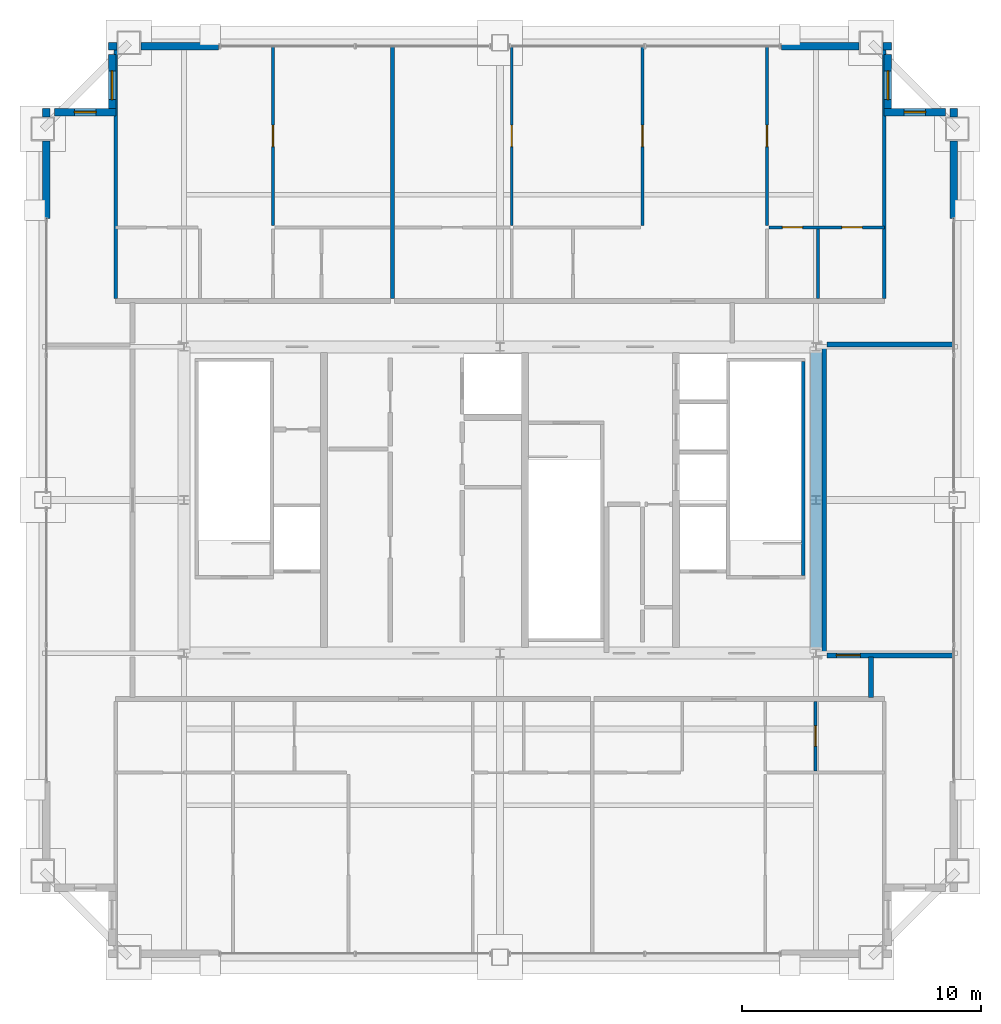
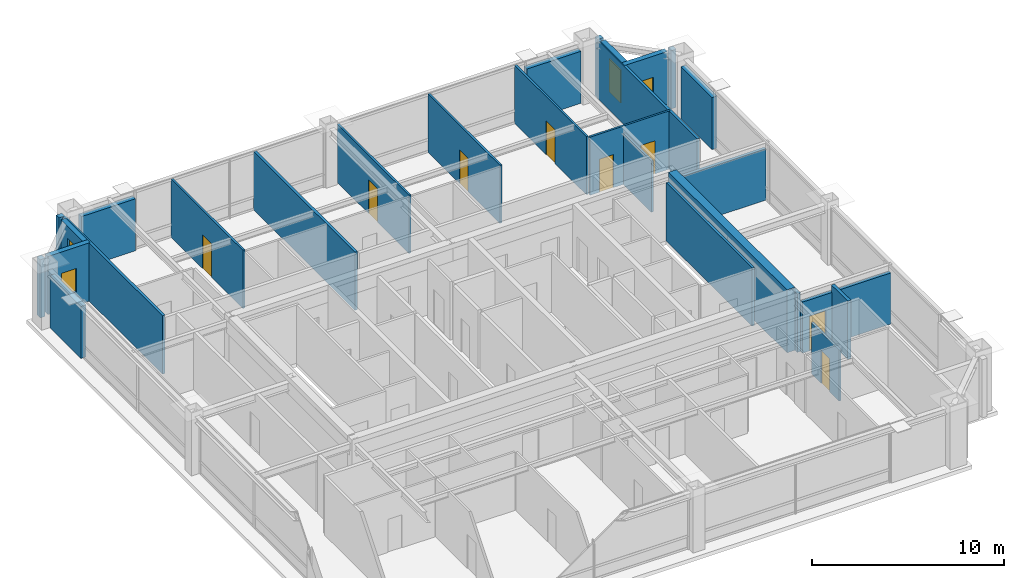
# One storey, part 33 of 34: 28 walls, 8 doors, 4 windows, 12 openings.
"""IFC4 building model written with IfcOpenShell, lengths in metres."""

import ifcopenshell
import ifcopenshell.guid

model = None  # the IFC model being written
_history = None  # IfcOwnerHistory: only IFC2X3 demands one
_inside = {}  # id of a spatial element -> (the spatial element, [elements in it])
_under = {}  # id of a project, library or spatial element -> (it, [spatial elements below it])
_declared = {}  # id of a project -> (the project, [libraries it declares])
_typed = {}  # id of a type object -> (the type object, [elements of that type])
_made_of = {}  # id of a material, layer set ... -> (it, [elements and type objects made of it])


def new_model(schema):
    """Start an empty IFC model of exactly this schema.

    Asked for "IFC4X3", IfcOpenShell would pick the latest addendum, in which some entities
    have other attributes; the version numbers below select the first issue.
    IFC2X3 requires an IfcOwnerHistory on every rooted entity: one is made here for all.
    """
    global model, _history
    if schema == "IFC4X3":
        model = ifcopenshell.file(schema_version=(4, 3, 0, 0))
    else:
        model = ifcopenshell.file(schema=schema)
    _inside.clear()
    _under.clear()
    _declared.clear()
    _typed.clear()
    _made_of.clear()
    _history = None
    if model.schema == "IFC2X3":
        org = make("IfcOrganization", Name="unknown")
        user = make(
            "IfcPersonAndOrganization",
            ThePerson=make("IfcPerson", FamilyName="unknown"),
            TheOrganization=org,
        )
        app = make(
            "IfcApplication",
            ApplicationDeveloper=org,
            Version="unknown",
            ApplicationFullName="unknown",
            ApplicationIdentifier="unknown",
        )
        _history = make(
            "IfcOwnerHistory",
            OwningUser=user,
            OwningApplication=app,
            ChangeAction="ADDED",
            CreationDate=0,
        )
    return model


def make(cls, **values):
    """One entity of the class cls with the attributes given. An attribute that is None is left unset."""
    return model.create_entity(
        cls, **{name: value for name, value in values.items() if value is not None}
    )


def rooted(cls, **values):
    """An entity with a GlobalId (a new one), such as an element, a storey or a relation."""
    return make(cls, GlobalId=ifcopenshell.guid.new(), OwnerHistory=_history, **values)


def si_unit(unit_type, name, prefix=None):
    """IfcSIUnit, for example si_unit("LENGTHUNIT", "METRE", prefix="MILLI")."""
    return make("IfcSIUnit", UnitType=unit_type, Prefix=prefix, Name=name)


def assignment(units):
    """IfcUnitAssignment: the units of a project."""
    return None if units is None else make("IfcUnitAssignment", Units=units)


def point(xyz):
    """IfcCartesianPoint."""
    return None if xyz is None else make("IfcCartesianPoint", Coordinates=xyz)


def direction(xyz):
    """IfcDirection."""
    return None if xyz is None else make("IfcDirection", DirectionRatios=xyz)


def frame(location, z_axis=None, x_axis=None):
    """IfcAxis2Placement3D, a coordinate frame: its origin and axes. An axis left out is left unset."""
    return make(
        "IfcAxis2Placement3D",
        Location=point(location),
        Axis=direction(z_axis),
        RefDirection=direction(x_axis),
    )


def frame_2d(location, x_axis=None):
    """IfcAxis2Placement2D, a coordinate frame in the plane: its origin and x axis."""
    return make(
        "IfcAxis2Placement2D", Location=point(location), RefDirection=direction(x_axis)
    )


def origin():
    """The frame at (0, 0, 0) with its axes left unset."""
    return frame((0.0, 0.0, 0.0))


def place(relative_to, where):
    """IfcLocalPlacement: puts the frame where relative to a parent placement (None: the world)."""
    return make(
        "IfcLocalPlacement", PlacementRelTo=relative_to, RelativePlacement=where
    )


def context(
    kind, dimensions, precision=None, world=None, true_north=None, identifier=None
):
    """IfcGeometricRepresentationContext, for example the 3D "Model" context."""
    return make(
        "IfcGeometricRepresentationContext",
        ContextIdentifier=identifier,
        ContextType=kind,
        CoordinateSpaceDimension=dimensions,
        Precision=precision,
        WorldCoordinateSystem=world,
        TrueNorth=true_north,
    )


def subcontext(parent, identifier, kind, view, scale=None):
    """IfcGeometricRepresentationSubContext, for example "Body" below "Model"."""
    return make(
        "IfcGeometricRepresentationSubContext",
        ContextIdentifier=identifier,
        ContextType=kind,
        ParentContext=parent,
        TargetScale=scale,
        TargetView=view,
    )


def project(units=None, contexts=None):
    """IfcProject with its units and contexts."""
    return rooted(
        "IfcProject",
        Name="project",
        RepresentationContexts=contexts,
        UnitsInContext=assignment(units),
    )


def spatial(cls, under=None, at=None, **own):
    """A site, building, storey or space (cls), placed at a placement, below another one or the project."""
    s = rooted(cls, ObjectPlacement=at, **own)
    if under is not None:
        _under.setdefault(under.id(), (under, []))[1].append(s)
    return s


def profile(cls, at=None, kind="AREA", **sizes):
    """A parametric profile (cls). Its sizes go by their IFC names, for example OverallWidth=200.0."""
    return make(cls, ProfileType=kind, Position=at, **sizes)


def rectangle(**sizes):
    """IfcRectangleProfileDef."""
    return profile("IfcRectangleProfileDef", **sizes)


def extrude(swept, where, along, depth):
    """IfcExtrudedAreaSolid: the profile swept, set in the frame where, extruded along a direction by depth."""
    return make(
        "IfcExtrudedAreaSolid",
        SweptArea=swept,
        Position=where,
        ExtrudedDirection=direction(along),
        Depth=depth,
    )


def shape(context_of_items, identifier, shape_type, items):
    """IfcShapeRepresentation: the items that make up one representation, for example the "Body"."""
    return make(
        "IfcShapeRepresentation",
        ContextOfItems=context_of_items,
        RepresentationIdentifier=identifier,
        RepresentationType=shape_type,
        Items=items,
    )


def source(mapping_origin, context_of_items, identifier, shape_type, items):
    """IfcRepresentationMap: a shape defined once, which mapped items show again and again."""
    return make(
        "IfcRepresentationMap",
        MappingOrigin=mapping_origin,
        MappedRepresentation=shape(context_of_items, identifier, shape_type, items),
    )


def transform(
    local_origin,
    x_axis=None,
    y_axis=None,
    z_axis=None,
    scale=None,
    scale2=None,
    scale3=None,
    uniform=True,
):
    """IfcCartesianTransformationOperator3D, or its non-uniform kind. x_axis, y_axis, z_axis: its Axis1, 2, 3."""
    if uniform:
        return make(
            "IfcCartesianTransformationOperator3D",
            Axis1=direction(x_axis),
            Axis2=direction(y_axis),
            LocalOrigin=point(local_origin),
            Scale=scale,
            Axis3=direction(z_axis),
        )
    return make(
        "IfcCartesianTransformationOperator3DnonUniform",
        Axis1=direction(x_axis),
        Axis2=direction(y_axis),
        LocalOrigin=point(local_origin),
        Scale=scale,
        Axis3=direction(z_axis),
        Scale2=scale2,
        Scale3=scale3,
    )


def mapped(mapping_source, mapping_target):
    """IfcMappedItem: shows the shape of a source again, moved by a transform."""
    return make(
        "IfcMappedItem", MappingSource=mapping_source, MappingTarget=mapping_target
    )


def material(Name=None, Category=None):
    """IfcMaterial."""
    return make("IfcMaterial", Name=Name, Category=Category)


def layer(
    of_material, thickness, ventilated=None, Name=None, Category=None, Priority=None
):
    """IfcMaterialLayer: one layer of a wall or slab, of a material (None: an air gap)."""
    return make(
        "IfcMaterialLayer",
        Material=of_material,
        LayerThickness=thickness,
        IsVentilated=ventilated,
        Name=Name,
        Category=Category,
        Priority=Priority,
    )


def layer_set(layers, Name=None):
    """IfcMaterialLayerSet."""
    return make("IfcMaterialLayerSet", MaterialLayers=layers, LayerSetName=Name)


def made_of(thing, what):
    """Note that an element or type object is made of a material, layer set ...; save() writes the relation."""
    if what is not None:
        _made_of.setdefault(what.id(), (what, []))[1].append(thing)
    return thing


def type_object(cls, material=None, **own):
    """A type object (cls), such as IfcWallType, which elements share."""
    return made_of(rooted(cls, **own), material)


def element(
    cls,
    number,
    at=None,
    inside=None,
    cuts=None,
    type_object=None,
    material=None,
    context=None,
    identifier="Body",
    shape_type=None,
    held_by="IfcProductDefinitionShape",
    body=None,
    shapes=None,
    **own,
):
    """One element of the class cls, such as IfcWall. Its Tag is "e" and its number.

    at: its placement. inside: the storey or other place that contains it. cuts: it is an
    opening in that element (IfcRelVoidsElement). A single representation is given by context,
    identifier, shape_type and body (its items); several are given by shapes. held_by: the class
    of the entity that holds the representations. save() writes the other relations.
    """
    e = rooted(cls, Tag="e%d" % number, ObjectPlacement=at, **own)
    if body is not None:
        shapes = [shape(context, identifier, shape_type, body)]
    if shapes is not None:
        e.Representation = make(held_by, Representations=shapes)
    if inside is not None:
        _inside.setdefault(inside.id(), (inside, []))[1].append(e)
    if cuts is not None:
        rooted(
            "IfcRelVoidsElement", RelatingBuildingElement=cuts, RelatedOpeningElement=e
        )
    if type_object is not None:
        _typed.setdefault(type_object.id(), (type_object, []))[1].append(e)
    return made_of(e, material)


def fill(opening, filler):
    """IfcRelFillsElement: the door or window that sits in an opening."""
    return rooted(
        "IfcRelFillsElement",
        RelatingOpeningElement=opening,
        RelatedBuildingElement=filler,
    )


def aggregate(whole, parts):
    """IfcRelAggregates: a whole, such as a stair, and the parts it consists of."""
    return rooted("IfcRelAggregates", RelatingObject=whole, RelatedObjects=parts)


def save(model, path):
    """Write the relations noted so far, then the file.

    IfcRelAggregates (storeys below a building ...), IfcRelContainedInSpatialStructure (elements
    in a storey), IfcRelDefinesByType, IfcRelAssociatesMaterial and IfcRelDeclares: one each for
    every whole, place, type object, material and project.
    """
    for whole, parts in _under.values():
        aggregate(whole, parts)
    for where, things in _inside.values():
        rooted(
            "IfcRelContainedInSpatialStructure",
            RelatedElements=things,
            RelatingStructure=where,
        )
    for kind, things in _typed.values():
        rooted("IfcRelDefinesByType", RelatedObjects=things, RelatingType=kind)
    for what, things in _made_of.values():
        rooted("IfcRelAssociatesMaterial", RelatedObjects=things, RelatingMaterial=what)
    for by, libraries in _declared.values():
        rooted("IfcRelDeclares", RelatingContext=by, RelatedDefinitions=libraries)
    model.write(path)


model = new_model("IFC4")

# Units and contexts
model_context = context("Model", 3, precision=1e-05, world=origin(), true_north=direction((0.0, 1.0)))
body_context = subcontext(model_context, "Body", "Model", "MODEL_VIEW")
ifc_project = project(units=[si_unit("LENGTHUNIT", "METRE"), si_unit("AREAUNIT", "SQUARE_METRE"), si_unit("VOLUMEUNIT", "CUBIC_METRE"), si_unit("PLANEANGLEUNIT", "RADIAN"), si_unit("MASSUNIT", "GRAM", prefix="KILO"), si_unit("THERMODYNAMICTEMPERATUREUNIT", "KELVIN"), si_unit("POWERUNIT", "WATT")], contexts=[model_context])

# Site, building, storey
site_placement = place(None, origin())
site = spatial("IfcSite", under=ifc_project, at=site_placement, CompositionType="ELEMENT")
building_placement = place(site_placement, origin())
building = spatial("IfcBuilding", under=site, at=building_placement, Name="Yuzanri Waterfront Tower", CompositionType="ELEMENT")
storey_placement = place(building_placement, frame((0.0, 0.0, 347.199951171875)))
storey = spatial("IfcBuildingStorey", under=building, at=storey_placement, Name="L93", CompositionType="ELEMENT", Elevation=347.199951171875)

# Wall, opening, door
ifc_material_1 = material(Name="Moisture-Resistant Gypsum Stud Wall", Category="gypsum")
ifc_layer_1 = layer(ifc_material_1, 0.1201171875)
ifc_layer_set_1 = layer_set([ifc_layer_1], Name="Moisture-Resistant Gypsum Stud Wall")
wall_type_1 = type_object("IfcWallType", Name="Bathroom and Kitchen Wet Partition 120", PredefinedType="PARTITIONING", material=ifc_layer_set_1)
wall_1_placement = place(storey_placement, frame((50.179931640625, 14.489990234375, 0.0), z_axis=(0.0, 0.0, 1.0), x_axis=(0.0, 1.0, 0.0)))
wall_1 = element("IfcWall", 1, at=wall_1_placement, inside=storey, type_object=wall_type_1, Name="L93 Partition UW-L93-HS2-SUB-2-W", PredefinedType="PARTITIONING", context=body_context, shape_type="SweptSolid", body=[
    extrude(rectangle(XDim=2.89990234375, YDim=0.1201171875, at=frame_2d((1.449951171875, 0.0))), origin(), (0.0, 0.0, 1.0), 3.2451171875),
])
opening_1_placement = place(wall_1_placement, frame((1.02490234375, 0.0, 0.0)))
opening_1 = element("IfcOpeningElement", 2, at=opening_1_placement, cuts=wall_1, Name="Opening ID-0850", PredefinedType="OPENING", context=body_context, shape_type="SweptSolid", body=[
    extrude(rectangle(XDim=0.85009765625, YDim=2.10009765625, at=frame_2d((0.425048828125, 1.050048828125))), frame((0.0, 0.074951171875, 0.0), z_axis=(0.0, -1.0, 0.0), x_axis=(1.0, 0.0, 0.0)), (0.0, 0.0, 1.0), 0.14990234375),
])
ifc_material_2 = material(Name="Moisture-Resistant Lacquered Timber", Category="wood")
door_type_1 = type_object("IfcDoorType", Name="En-Suite Bathroom and Kitchen Swing Door 850x2100", OperationType="NOTDEFINED", PredefinedType="DOOR", material=ifc_material_2)
shared_shape_1 = source(origin(), body_context, "Body", "SweptSolid", [
    extrude(rectangle(XDim=0.85009765625, YDim=2.10009765625, at=frame_2d((0.425048828125, 1.050048828125))), frame((0.0, 0.02490234375, 0.0), z_axis=(0.0, -1.0, 0.0), x_axis=(1.0, 0.0, 0.0)), (0.0, 0.0, 1.0), 0.050048828125),
])
door_1_placement = place(opening_1_placement, origin())
door_1 = element("IfcDoor", 3, at=door_1_placement, inside=storey, type_object=door_type_1, Name="L93 Suite Interior Room Door", OperationType="SINGLE_SWING_RIGHT", OverallHeight=2.10009765625, OverallWidth=0.85009765625, PredefinedType="DOOR", context=body_context, shape_type="MappedRepresentation", body=[
    mapped(shared_shape_1, transform((0.0, 0.0, 0.0), scale=1.0)),
])
fill(opening_1, door_1)

wall_2_placement = place(storey_placement, frame((27.52001953125, 37.27001953125, 0.0), z_axis=(0.0, 0.0, 1.0), x_axis=(0.0, 1.0, 0.0)))
wall_2 = element("IfcWall", 4, at=wall_2_placement, inside=storey, type_object=wall_type_1, Name="L93 Partition UW-L93-HN1-SUB-3-W", PredefinedType="PARTITIONING", context=body_context, shape_type="SweptSolid", body=[
    extrude(rectangle(XDim=7.47998046875, YDim=0.1201171875, at=frame_2d((3.739990234375, 0.0))), origin(), (0.0, 0.0, 1.0), 3.699951171875),
])
opening_2_placement = place(wall_2_placement, frame((3.2900390625, 0.0, 0.0)))
opening_2 = element("IfcOpeningElement", 5, at=opening_2_placement, cuts=wall_2, Name="Opening ID-0900", PredefinedType="OPENING", context=body_context, shape_type="SweptSolid", body=[
    extrude(rectangle(XDim=0.89990234375, YDim=2.14990234375, at=frame_2d((0.449951171875, 1.074951171875))), frame((0.0, 0.074951171875, 0.0), z_axis=(0.0, -1.0, 0.0), x_axis=(1.0, 0.0, 0.0)), (0.0, 0.0, 1.0), 0.14990234375),
])
ifc_material_3 = material(Name="Stained Walnut Veneer Timber", Category="wood")
door_type_2 = type_object("IfcDoorType", Name="Bedroom and Study Interior Swing Door 900x2150", OperationType="NOTDEFINED", PredefinedType="DOOR", material=ifc_material_3)
shared_shape_2 = source(origin(), body_context, "Body", "SweptSolid", [
    extrude(rectangle(XDim=0.89990234375, YDim=2.14990234375, at=frame_2d((0.449951171875, 1.074951171875))), frame((0.0, 0.02490234375, 0.0), z_axis=(0.0, -1.0, 0.0), x_axis=(1.0, 0.0, 0.0)), (0.0, 0.0, 1.0), 0.050048828125),
])
door_2_placement = place(opening_2_placement, origin())
door_2 = element("IfcDoor", 6, at=door_2_placement, inside=storey, type_object=door_type_2, Name="L93 Suite Interior Room Door", OperationType="SINGLE_SWING_RIGHT", OverallHeight=2.14990234375, OverallWidth=0.89990234375, PredefinedType="DOOR", context=body_context, shape_type="MappedRepresentation", body=[
    mapped(shared_shape_2, transform((0.0, 0.0, 0.0), scale=1.0)),
])
fill(opening_2, door_2)

wall_3_placement = place(storey_placement, frame((37.492919921875, 37.27001953125, 0.0), z_axis=(0.0, 0.0, 1.0), x_axis=(0.0, 1.0, 0.0)))
wall_3 = element("IfcWall", 7, at=wall_3_placement, inside=storey, type_object=wall_type_1, Name="L93 Partition UW-L93-HN2-SUB-5-E", PredefinedType="PARTITIONING", context=body_context, shape_type="SweptSolid", body=[
    extrude(rectangle(XDim=7.47998046875, YDim=0.1201171875, at=frame_2d((3.739990234375, 0.0))), origin(), (0.0, 0.0, 1.0), 3.699951171875),
])
opening_3_placement = place(wall_3_placement, frame((3.2900390625, 0.0, 0.0)))
opening_3 = element("IfcOpeningElement", 8, at=opening_3_placement, cuts=wall_3, Name="Opening ID-0900", PredefinedType="OPENING", context=body_context, shape_type="SweptSolid", body=[
    extrude(rectangle(XDim=0.89990234375, YDim=2.14990234375, at=frame_2d((0.449951171875, 1.074951171875))), frame((0.0, 0.074951171875, 0.0), z_axis=(0.0, -1.0, 0.0), x_axis=(1.0, 0.0, 0.0)), (0.0, 0.0, 1.0), 0.14990234375),
])
door_3_placement = place(opening_3_placement, origin())
door_3 = element("IfcDoor", 9, at=door_3_placement, inside=storey, type_object=door_type_2, Name="L93 Suite Interior Room Door", OperationType="SINGLE_SWING_LEFT", OverallHeight=2.14990234375, OverallWidth=0.89990234375, PredefinedType="DOOR", context=body_context, shape_type="MappedRepresentation", body=[
    mapped(shared_shape_2, transform((0.0, 0.0, 0.0), scale=1.0)),
])
fill(opening_3, door_3)

# Wall, openings, doors
wall_4_placement = place(storey_placement, frame((48.22998046875, 37.18994140625, 0.0), z_axis=(0.0, 0.0, 1.0), x_axis=(1.0, 0.0, 0.0)))
wall_4 = element("IfcWall", 10, at=wall_4_placement, inside=storey, type_object=wall_type_1, Name="L93 Partition UW-L93-HN2-SUB-6-S", PredefinedType="PARTITIONING", context=body_context, shape_type="SweptSolid", body=[
    extrude(rectangle(XDim=4.830078125, YDim=0.1201171875, at=frame_2d((2.4150390625, 0.0))), origin(), (0.0, 0.0, 1.0), 3.699951171875),
])
opening_4_placement = place(wall_4_placement, frame((3.054931640625, 0.0, 0.0)))
opening_4 = element("IfcOpeningElement", 11, at=opening_4_placement, cuts=wall_4, Name="Opening ID-0850", PredefinedType="OPENING", context=body_context, shape_type="SweptSolid", body=[
    extrude(rectangle(XDim=0.85009765625, YDim=2.10009765625, at=frame_2d((0.425048828125, 1.050048828125))), frame((0.0, 0.074951171875, 0.0), z_axis=(0.0, -1.0, 0.0), x_axis=(1.0, 0.0, 0.0)), (0.0, 0.0, 1.0), 0.14990234375),
])
opening_5_placement = place(wall_4_placement, frame((0.56005859375, 0.0, 0.0)))
opening_5 = element("IfcOpeningElement", 12, at=opening_5_placement, cuts=wall_4, Name="Opening ID-0850", PredefinedType="OPENING", context=body_context, shape_type="SweptSolid", body=[
    extrude(rectangle(XDim=0.85009765625, YDim=2.10009765625, at=frame_2d((0.425048828125, 1.050048828125))), frame((0.0, 0.074951171875, 0.0), z_axis=(0.0, -1.0, 0.0), x_axis=(1.0, 0.0, 0.0)), (0.0, 0.0, 1.0), 0.14990234375),
])
door_4_placement = place(opening_4_placement, origin())
door_4 = element("IfcDoor", 13, at=door_4_placement, inside=storey, type_object=door_type_1, Name="L93 Suite Interior Room Door", OperationType="SINGLE_SWING_LEFT", OverallHeight=2.10009765625, OverallWidth=0.85009765625, PredefinedType="DOOR", context=body_context, shape_type="MappedRepresentation", body=[
    mapped(shared_shape_1, transform((0.0, 0.0, 0.0), scale=1.0)),
])
fill(opening_4, door_4)
door_5_placement = place(opening_5_placement, origin())
door_5 = element("IfcDoor", 14, at=door_5_placement, inside=storey, type_object=door_type_1, Name="L93 Suite Interior Room Door", OperationType="SINGLE_SWING_RIGHT", OverallHeight=2.10009765625, OverallWidth=0.85009765625, PredefinedType="DOOR", context=body_context, shape_type="MappedRepresentation", body=[
    mapped(shared_shape_1, transform((0.0, 0.0, 0.0), scale=1.0)),
])
fill(opening_5, door_5)

# Wall, opening, door
wall_5_placement = place(storey_placement, frame((48.14990234375, 37.27001953125, 0.0), z_axis=(0.0, 0.0, 1.0), x_axis=(0.0, 1.0, 0.0)))
wall_5 = element("IfcWall", 15, at=wall_5_placement, inside=storey, type_object=wall_type_1, Name="L93 Partition UW-L93-HN2-SUB-6-W", PredefinedType="PARTITIONING", context=body_context, shape_type="SweptSolid", body=[
    extrude(rectangle(XDim=7.47998046875, YDim=0.1201171875, at=frame_2d((3.739990234375, 0.0))), origin(), (0.0, 0.0, 1.0), 3.699951171875),
])
opening_6_placement = place(wall_5_placement, frame((3.2900390625, 0.0, 0.0)))
opening_6 = element("IfcOpeningElement", 16, at=opening_6_placement, cuts=wall_5, Name="Opening ID-0900", PredefinedType="OPENING", context=body_context, shape_type="SweptSolid", body=[
    extrude(rectangle(XDim=0.89990234375, YDim=2.14990234375, at=frame_2d((0.449951171875, 1.074951171875))), frame((0.0, 0.074951171875, 0.0), z_axis=(0.0, -1.0, 0.0), x_axis=(1.0, 0.0, 0.0)), (0.0, 0.0, 1.0), 0.14990234375),
])
door_6_placement = place(opening_6_placement, origin())
door_6 = element("IfcDoor", 17, at=door_6_placement, inside=storey, type_object=door_type_2, Name="L93 Suite Interior Room Door", OperationType="SINGLE_SWING_RIGHT", OverallHeight=2.14990234375, OverallWidth=0.89990234375, PredefinedType="DOOR", context=body_context, shape_type="MappedRepresentation", body=[
    mapped(shared_shape_2, transform((0.0, 0.0, 0.0), scale=1.0)),
])
fill(opening_6, door_6)

wall_6_placement = place(storey_placement, frame((42.949951171875, 37.27001953125, 0.0), z_axis=(0.0, 0.0, 1.0), x_axis=(0.0, 1.0, 0.0)))
wall_6 = element("IfcWall", 18, at=wall_6_placement, inside=storey, type_object=wall_type_1, Name="L93 Partition UW-L93-HN2-SUB-7-E", PredefinedType="PARTITIONING", context=body_context, shape_type="SweptSolid", body=[
    extrude(rectangle(XDim=7.47998046875, YDim=0.1201171875, at=frame_2d((3.739990234375, 0.0))), origin(), (0.0, 0.0, 1.0), 3.699951171875),
])
opening_7_placement = place(wall_6_placement, frame((3.2900390625, 0.0, 0.0)))
opening_7 = element("IfcOpeningElement", 19, at=opening_7_placement, cuts=wall_6, Name="Opening ID-0900", PredefinedType="OPENING", context=body_context, shape_type="SweptSolid", body=[
    extrude(rectangle(XDim=0.89990234375, YDim=2.14990234375, at=frame_2d((0.449951171875, 1.074951171875))), frame((0.0, 0.074951171875, 0.0), z_axis=(0.0, -1.0, 0.0), x_axis=(1.0, 0.0, 0.0)), (0.0, 0.0, 1.0), 0.14990234375),
])
door_7_placement = place(opening_7_placement, origin())
door_7 = element("IfcDoor", 20, at=door_7_placement, inside=storey, type_object=door_type_2, Name="L93 Suite Interior Room Door", OperationType="SINGLE_SWING_LEFT", OverallHeight=2.14990234375, OverallWidth=0.89990234375, PredefinedType="DOOR", context=body_context, shape_type="MappedRepresentation", body=[
    mapped(shared_shape_2, transform((0.0, 0.0, 0.0), scale=1.0)),
])
fill(opening_7, door_7)

# Wall, opening, window
ifc_material_4 = material(Name="Honed Chongqing Dark Basalt Stone", Category="masonry")
ifc_layer_2 = layer(ifc_material_4, 0.300048828125)
ifc_layer_set_2 = layer_set([ifc_layer_2], Name="Honed Chongqing Dark Basalt Stone")
wall_type_2 = type_object("IfcWallType", Name="Bronze Rainscreen Insulated Spandrel Portal Wall 300", PredefinedType="SOLIDWALL", material=ifc_layer_set_2)
wall_7_placement = place(storey_placement, frame((20.949951171875, 42.0, 0.0), z_axis=(0.0, 0.0, 1.0), x_axis=(-1.0, 0.0, 0.0)))
wall_7 = element("IfcWall", 21, at=wall_7_placement, inside=storey, type_object=wall_type_2, Name="L93 Notched Corner Masonry Wall NW-X", PredefinedType="SOLIDWALL", context=body_context, shape_type="SweptSolid", body=[
    extrude(rectangle(XDim=2.550048828125, YDim=0.300048828125, at=frame_2d((1.27490234375, 0.0))), origin(), (0.0, 0.0, 1.0), 3.699951171875),
])
opening_8_placement = place(wall_7_placement, frame((0.824951171875, 0.0, 0.85009765625)))
opening_8 = element("IfcOpeningElement", 22, at=opening_8_placement, cuts=wall_7, Name="Opening WN-05", PredefinedType="OPENING", context=body_context, shape_type="SweptSolid", body=[
    extrude(rectangle(XDim=0.89990234375, YDim=1.5, at=frame_2d((0.449951171875, 0.75))), frame((0.0, 0.1650390625, 0.0), z_axis=(0.0, -1.0, 0.0), x_axis=(1.0, 0.0, 0.0)), (0.0, 0.0, 1.0), 0.329833984375),
])
ifc_material_5 = material(Name="Double-Silver Low-E Insulated Glass", Category="glass")
window_type_1 = type_object("IfcWindowType", Name="Anodized Bronze Service and Stairwell Smoke-Vent Window 900x1500", PartitioningType="SINGLE_PANEL", PredefinedType="WINDOW", material=ifc_material_5)
shared_shape_3 = source(origin(), body_context, "Body", "SweptSolid", [
    extrude(rectangle(XDim=0.89990234375, YDim=1.5, at=frame_2d((0.449951171875, 0.75))), frame((0.0, 0.030029296875, 0.0), z_axis=(0.0, -1.0, 0.0), x_axis=(1.0, 0.0, 0.0)), (0.0, 0.0, 1.0), 0.06005859375),
])
window_1_placement = place(opening_8_placement, origin())
window_1 = element("IfcWindow", 23, at=window_1_placement, inside=storey, type_object=window_type_1, Name="L93 Notched Corner Window NW-X", OverallHeight=1.5, OverallWidth=0.89990234375, PartitioningType="SINGLE_PANEL", PredefinedType="WINDOW", context=body_context, shape_type="MappedRepresentation", body=[
    mapped(shared_shape_3, transform((0.0, 0.0, 0.0), scale=1.0)),
])
fill(opening_8, window_1)

wall_8_placement = place(storey_placement, frame((20.800048828125, 44.39990234375, 0.0), z_axis=(0.0, 0.0, 1.0), x_axis=(0.0, -1.0, 0.0)))
wall_8 = element("IfcWall", 24, at=wall_8_placement, inside=storey, type_object=wall_type_2, Name="L93 Notched Corner Masonry Wall NW-Y", PredefinedType="SOLIDWALL", context=body_context, shape_type="SweptSolid", body=[
    extrude(rectangle(XDim=2.5498046875, YDim=0.300048828125, at=frame_2d((1.27490234375, 0.0))), origin(), (0.0, 0.0, 1.0), 3.699951171875),
])
opening_9_placement = place(wall_8_placement, frame((0.675048828125, 0.0, 0.85009765625)))
opening_9 = element("IfcOpeningElement", 25, at=opening_9_placement, cuts=wall_8, Name="Opening WN-02", PredefinedType="OPENING", context=body_context, shape_type="SweptSolid", body=[
    extrude(rectangle(XDim=1.199951171875, YDim=2.10009765625, at=frame_2d((0.60009765625, 1.050048828125))), frame((0.0, 0.1650390625, 0.0), z_axis=(0.0, -1.0, 0.0), x_axis=(1.0, 0.0, 0.0)), (0.0, 0.0, 1.0), 0.329833984375),
])
ifc_material_6 = material(Name="Double-Silver Low-E Insulated Glass", Category="glass")
window_type_2 = type_object("IfcWindowType", Name="Anodized Bronze Notched Corner Deep-Set Slot Window 1200x2100", PartitioningType="SINGLE_PANEL", PredefinedType="WINDOW", material=ifc_material_6)
shared_shape_4 = source(origin(), body_context, "Body", "SweptSolid", [
    extrude(rectangle(XDim=1.199951171875, YDim=2.10009765625, at=frame_2d((0.60009765625, 1.050048828125))), frame((0.0, 0.030029296875, 0.0), z_axis=(0.0, -1.0, 0.0), x_axis=(1.0, 0.0, 0.0)), (0.0, 0.0, 1.0), 0.06005859375),
])
window_2_placement = place(opening_9_placement, origin())
window_2 = element("IfcWindow", 26, at=window_2_placement, inside=storey, type_object=window_type_2, Name="L93 Notched Corner Window NW-Y", OverallHeight=2.10009765625, OverallWidth=1.199951171875, PartitioningType="SINGLE_PANEL", PredefinedType="WINDOW", context=body_context, shape_type="MappedRepresentation", body=[
    mapped(shared_shape_4, transform((0.0, 0.0, 0.0), scale=1.0)),
])
fill(opening_9, window_2)

wall_9_placement = place(storey_placement, frame((55.60009765625, 42.0, 0.0), z_axis=(0.0, 0.0, 1.0), x_axis=(-1.0, 0.0, 0.0)))
wall_9 = element("IfcWall", 27, at=wall_9_placement, inside=storey, type_object=wall_type_2, Name="L93 Notched Corner Masonry Wall NE-X", PredefinedType="SOLIDWALL", context=body_context, shape_type="SweptSolid", body=[
    extrude(rectangle(XDim=2.550048828125, YDim=0.300048828125, at=frame_2d((1.27490234375, 0.0))), origin(), (0.0, 0.0, 1.0), 3.699951171875),
])
opening_10_placement = place(wall_9_placement, frame((0.824951171875, 0.0, 0.85009765625)))
opening_10 = element("IfcOpeningElement", 28, at=opening_10_placement, cuts=wall_9, Name="Opening WN-05", PredefinedType="OPENING", context=body_context, shape_type="SweptSolid", body=[
    extrude(rectangle(XDim=0.89990234375, YDim=1.5, at=frame_2d((0.449951171875, 0.75))), frame((0.0, 0.1650390625, 0.0), z_axis=(0.0, -1.0, 0.0), x_axis=(1.0, 0.0, 0.0)), (0.0, 0.0, 1.0), 0.329833984375),
])
window_3_placement = place(opening_10_placement, origin())
window_3 = element("IfcWindow", 29, at=window_3_placement, inside=storey, type_object=window_type_1, Name="L93 Notched Corner Window NE-X", OverallHeight=1.5, OverallWidth=0.89990234375, PartitioningType="SINGLE_PANEL", PredefinedType="WINDOW", context=body_context, shape_type="MappedRepresentation", body=[
    mapped(shared_shape_3, transform((0.0, 0.0, 0.0), scale=1.0)),
])
fill(opening_10, window_3)

wall_10_placement = place(storey_placement, frame((53.199951171875, 41.85009765625, 0.0), z_axis=(0.0, 0.0, 1.0), x_axis=(0.0, 1.0, 0.0)))
wall_10 = element("IfcWall", 30, at=wall_10_placement, inside=storey, type_object=wall_type_2, Name="L93 Notched Corner Masonry Wall NE-Y", PredefinedType="SOLIDWALL", context=body_context, shape_type="SweptSolid", body=[
    extrude(rectangle(XDim=2.5498046875, YDim=0.300048828125, at=frame_2d((1.27490234375, 0.0))), origin(), (0.0, 0.0, 1.0), 3.699951171875),
])
opening_11_placement = place(wall_10_placement, frame((0.675048828125, 0.0, 0.85009765625)))
opening_11 = element("IfcOpeningElement", 31, at=opening_11_placement, cuts=wall_10, Name="Opening WN-02", PredefinedType="OPENING", context=body_context, shape_type="SweptSolid", body=[
    extrude(rectangle(XDim=1.199951171875, YDim=2.10009765625, at=frame_2d((0.60009765625, 1.050048828125))), frame((0.0, 0.1650390625, 0.0), z_axis=(0.0, -1.0, 0.0), x_axis=(1.0, 0.0, 0.0)), (0.0, 0.0, 1.0), 0.329833984375),
])
window_4_placement = place(opening_11_placement, origin())
window_4 = element("IfcWindow", 32, at=window_4_placement, inside=storey, type_object=window_type_2, Name="L93 Notched Corner Window NE-Y", OverallHeight=2.10009765625, OverallWidth=1.199951171875, PartitioningType="SINGLE_PANEL", PredefinedType="WINDOW", context=body_context, shape_type="MappedRepresentation", body=[
    mapped(shared_shape_4, transform((0.0, 0.0, 0.0), scale=1.0)),
])
fill(opening_11, window_4)

# Wall, opening, door
ifc_material_7 = material(Name="Autoclaved Aerated Concrete Blockwork", Category="masonry")
ifc_layer_3 = layer(ifc_material_7, 0.199951171875)
ifc_layer_set_3 = layer_set([ifc_layer_3], Name="Autoclaved Aerated Concrete Blockwork")
wall_type_3 = type_object("IfcWallType", Name="Corridor and Unit Party Fire Wall 200", PredefinedType="PARTITIONING", material=ifc_layer_set_3)
wall_11_placement = place(storey_placement, frame((50.64990234375, 19.31005859375, 0.0), z_axis=(0.0, 0.0, 1.0), x_axis=(1.0, 0.0, 0.0)))
wall_11 = element("IfcWall", 33, at=wall_11_placement, inside=storey, type_object=wall_type_3, Name="L93 Partition UW-L93-048-CS", PredefinedType="PARTITIONING", context=body_context, shape_type="SweptSolid", body=[
    extrude(rectangle(XDim=5.300048828125, YDim=0.199951171875, at=frame_2d((2.64990234375, 0.0))), origin(), (0.0, 0.0, 1.0), 3.2451171875),
])
opening_12_placement = place(wall_11_placement, frame((0.39990234375, 0.0, 0.0)))
opening_12 = element("IfcOpeningElement", 34, at=opening_12_placement, cuts=wall_11, Name="Opening FD-1000", PredefinedType="OPENING", context=body_context, shape_type="SweptSolid", body=[
    extrude(rectangle(XDim=1.0, YDim=2.199951171875, at=frame_2d((0.5, 1.10009765625))), frame((0.0, 0.11474609375, 0.0), z_axis=(0.0, -1.0, 0.0), x_axis=(1.0, 0.0, 0.0)), (0.0, 0.0, 1.0), 0.229736328125),
])
ifc_material_8 = material(Name="Engineered Oak Fire-Rated Timber", Category="wood")
door_type_3 = type_object("IfcDoorType", Name="Guestroom and Apartment Entrance Fire Door 1000x2200", OperationType="NOTDEFINED", PredefinedType="DOOR", material=ifc_material_8)
shared_shape_5 = source(origin(), body_context, "Body", "SweptSolid", [
    extrude(rectangle(XDim=1.0, YDim=2.199951171875, at=frame_2d((0.5, 1.10009765625))), frame((0.0, 0.02490234375, 0.0), z_axis=(0.0, -1.0, 0.0), x_axis=(1.0, 0.0, 0.0)), (0.0, 0.0, 1.0), 0.050048828125),
])
door_8_placement = place(opening_12_placement, origin())
door_8 = element("IfcDoor", 35, at=door_8_placement, inside=storey, type_object=door_type_3, Name="L93 High-Rise E Private Dining Restaurant Entrance Door", OperationType="SINGLE_SWING_LEFT", OverallHeight=2.199951171875, OverallWidth=1.0, PredefinedType="DOOR", context=body_context, shape_type="MappedRepresentation", body=[
    mapped(shared_shape_5, transform((0.0, 0.0, 0.0), scale=1.0)),
])
fill(opening_12, door_8)

# Walls
ifc_material_9 = material(Name="Concrete C45", Category="concrete")
ifc_layer_4 = layer(ifc_material_9, 0.47998046875)
ifc_layer_set_4 = layer_set([ifc_layer_4], Name="Concrete C45")
wall_type_4 = type_object("IfcWallType", Name="Concrete C45 High-Rise Core Shear Wall 480", PredefinedType="SHEAR", material=ifc_layer_set_4)
shared_shape_6 = source(origin(), body_context, "Body", "SweptSolid", [
    extrude(rectangle(XDim=12.320068359375, YDim=0.47998046875, at=frame_2d((6.16015625, 0.0))), origin(), (0.0, 0.0, 1.0), 4.0),
])
wall_12_placement = place(storey_placement, frame((50.199951171875, 19.639892578125, 0.0), z_axis=(0.0, 0.0, 1.0), x_axis=(0.0, 1.0, 0.0)))
element("IfcWall", 36, at=wall_12_placement, inside=storey, type_object=wall_type_4, Name="L93 Core East Shear Wall", PredefinedType="SHEAR", context=body_context, shape_type="MappedRepresentation", body=[
    mapped(shared_shape_6, transform((0.0, 0.0, 0.0), scale=1.0)),
])
shared_shape_7 = source(origin(), body_context, "Body", "SweptSolid", [
    extrude(rectangle(XDim=0.35009765625, YDim=0.300048828125, at=frame_2d((0.175048828125, 0.0))), origin(), (0.0, 0.0, 1.0), 3.699951171875),
])
for number, where, z_axis, x_axis, name in (
    (37, (20.64990234375, 44.75, 0.0), (0.0, 0.0, 1.0), (1.0, 0.0, 0.0), "L93 Corner Column Shoulder Return CNW"),
    (38, (53.0, 44.75, 0.0), (0.0, 0.0, 1.0), (1.0, 0.0, 0.0), "L93 Corner Column Shoulder Return CNE"),
):
    element("IfcWall", number, at=place(storey_placement, frame(where, z_axis=z_axis, x_axis=x_axis)), inside=storey, type_object=wall_type_2, Name=name, PredefinedType="SOLIDWALL", context=body_context, shape_type="MappedRepresentation", body=[
        mapped(shared_shape_7, transform((0.0, 0.0, 0.0), scale=1.0)),
    ])
shared_shape_8 = source(origin(), body_context, "Body", "SweptSolid", [
    extrude(rectangle(XDim=0.349853515625, YDim=0.300048828125, at=frame_2d((0.1748046875, 0.0))), origin(), (0.0, 0.0, 1.0), 3.699951171875),
])
for number, where, z_axis, x_axis, name in (
    (39, (18.050048828125, 41.800048828125, 0.0), (0.0, 0.0, 1.0), (0.0, 1.0, 0.0), "L93 Corner Column Shoulder Return CWN"),
    (40, (55.949951171875, 41.800048828125, 0.0), (0.0, 0.0, 1.0), (0.0, 1.0, 0.0), "L93 Corner Column Shoulder Return CEN"),
):
    element("IfcWall", number, at=place(storey_placement, frame(where, z_axis=z_axis, x_axis=x_axis)), inside=storey, type_object=wall_type_2, Name=name, PredefinedType="SOLIDWALL", context=body_context, shape_type="MappedRepresentation", body=[
        mapped(shared_shape_8, transform((0.0, 0.0, 0.0), scale=1.0)),
    ])
shared_shape_9 = source(origin(), body_context, "Body", "SweptSolid", [
    extrude(rectangle(XDim=3.25, YDim=0.300048828125, at=frame_2d((1.625, 0.0))), origin(), (0.0, 0.0, 1.0), 3.304931640625),
])
for number, where, z_axis, x_axis, name in (
    (41, (22.0, 44.75, 0.0), (0.0, 0.0, 1.0), (1.0, 0.0, 0.0), "L93 N Left Braced Masonry Shoulder"),
    (42, (48.75, 44.75, 0.0), (0.0, 0.0, 1.0), (1.0, 0.0, 0.0), "L93 N Right Braced Masonry Shoulder"),
    (43, (18.050048828125, 37.550048828125, 0.0), (0.0, 0.0, 1.0), (0.0, 1.0, 0.0), "L93 W Right Braced Masonry Shoulder"),
    (44, (55.949951171875, 37.550048828125, 0.0), (0.0, 0.0, 1.0), (0.0, 1.0, 0.0), "L93 E Right Braced Masonry Shoulder"),
):
    element("IfcWall", number, at=place(storey_placement, frame(where, z_axis=z_axis, x_axis=x_axis)), inside=storey, type_object=wall_type_2, Name=name, PredefinedType="SOLIDWALL", context=body_context, shape_type="MappedRepresentation", body=[
        mapped(shared_shape_9, transform((0.0, 0.0, 0.0), scale=1.0)),
    ])
ifc_material_10 = material(Name="Concrete C40", Category="concrete")
ifc_layer_5 = layer(ifc_material_10, 0.139892578125)
ifc_layer_set_5 = layer_set([ifc_layer_5], Name="Concrete C40")
wall_type_5 = type_object("IfcWallType", Name="Core Stair Liner and Hoistway Shaft Wall 140", PredefinedType="SOLIDWALL", material=ifc_layer_set_5)
shared_shape_10 = source(origin(), body_context, "Body", "SweptSolid", [
    extrude(rectangle(XDim=8.940185546875, YDim=0.139892578125, at=frame_2d((4.47021484375, 0.0))), origin(), (0.0, 0.0, 1.0), 3.699951171875),
])
wall_13_placement = place(storey_placement, frame((49.669921875, 22.639892578125, 0.0), z_axis=(0.0, 0.0, 1.0), x_axis=(0.0, 1.0, 0.0)))
element("IfcWall", 45, at=wall_13_placement, inside=storey, type_object=wall_type_5, Name="L93 Stair ST-02 East Shaft Wall", PredefinedType="SOLIDWALL", context=body_context, shape_type="MappedRepresentation", body=[
    mapped(shared_shape_10, transform((0.0, 0.0, 0.0), scale=1.0)),
])
shared_shape_11 = source(origin(), body_context, "Body", "SweptSolid", [
    extrude(rectangle(XDim=1.699951171875, YDim=0.199951171875, at=frame_2d((0.85009765625, 0.0))), origin(), (0.0, 0.0, 1.0), 3.699951171875),
])
wall_14_placement = place(storey_placement, frame((52.5, 17.550048828125, 0.0), z_axis=(0.0, 0.0, 1.0), x_axis=(0.0, 1.0, 0.0)))
element("IfcWall", 46, at=wall_14_placement, inside=storey, type_object=wall_type_3, Name="L93 South Foyer East End Wall", PredefinedType="PARTITIONING", context=body_context, shape_type="MappedRepresentation", body=[
    mapped(shared_shape_11, transform((0.0, 0.0, 0.0), scale=1.0)),
])
ifc_material_11 = material(Name="Gypsum Fireboard Acoustic Stud Wall", Category="gypsum")
ifc_layer_6 = layer(ifc_material_11, 0.159912109375)
ifc_layer_set_6 = layer_set([ifc_layer_6], Name="Gypsum Fireboard Acoustic Stud Wall")
wall_type_6 = type_object("IfcWallType", Name="Acoustic Suite Demising Partition 160", PredefinedType="PARTITIONING", material=ifc_layer_set_6)
shared_shape_12 = source(origin(), body_context, "Body", "SweptSolid", [
    extrude(rectangle(XDim=10.5400390625, YDim=0.159912109375, at=frame_2d((5.27001953125, 0.0))), origin(), (0.0, 0.0, 1.0), 3.699951171875),
])
wall_15_placement = place(storey_placement, frame((32.5029296875, 34.2099609375, 0.0), z_axis=(0.0, 0.0, 1.0), x_axis=(0.0, 1.0, 0.0)))
element("IfcWall", 47, at=wall_15_placement, inside=storey, type_object=wall_type_6, Name="L93-HN1 Party Wall", PredefinedType="PARTITIONING", context=body_context, shape_type="MappedRepresentation", body=[
    mapped(shared_shape_12, transform((0.0, 0.0, 0.0), scale=1.0)),
])
shared_shape_13 = source(origin(), body_context, "Body", "SweptSolid", [
    extrude(rectangle(XDim=10.39013671875, YDim=0.159912109375, at=frame_2d((5.195068359375, 0.0))), origin(), (0.0, 0.0, 1.0), 3.699951171875),
])
for number, where, z_axis, x_axis, name in (
    (48, (20.949951171875, 34.2099609375, 0.0), (0.0, 0.0, 1.0), (0.0, 1.0, 0.0), "L93 North Band West End Wall"),
    (49, (53.050048828125, 34.2099609375, 0.0), (0.0, 0.0, 1.0), (0.0, 1.0, 0.0), "L93 North Band East End Wall"),
):
    element("IfcWall", number, at=place(storey_placement, frame(where, z_axis=z_axis, x_axis=x_axis)), inside=storey, type_object=wall_type_6, Name=name, PredefinedType="PARTITIONING", context=body_context, shape_type="MappedRepresentation", body=[
        mapped(shared_shape_13, transform((0.0, 0.0, 0.0), scale=1.0)),
    ])
shared_shape_14 = source(origin(), body_context, "Body", "SweptSolid", [
    extrude(rectangle(XDim=2.900146484375, YDim=0.1201171875, at=frame_2d((1.4501953125, 0.0))), origin(), (0.0, 0.0, 1.0), 3.2451171875),
])
wall_16_placement = place(storey_placement, frame((50.280029296875, 34.2099609375, 0.0), z_axis=(0.0, 0.0, 1.0), x_axis=(0.0, 1.0, 0.0)))
element("IfcWall", 50, at=wall_16_placement, inside=storey, type_object=wall_type_1, Name="L93 Partition UW-L93-HN2-SUB-3-W", PredefinedType="PARTITIONING", context=body_context, shape_type="MappedRepresentation", body=[
    mapped(shared_shape_14, transform((0.0, 0.0, 0.0), scale=1.0)),
])
shared_shape_15 = source(origin(), body_context, "Body", "SweptSolid", [
    extrude(rectangle(XDim=5.300048828125, YDim=0.199951171875, at=frame_2d((2.64990234375, 0.0))), origin(), (0.0, 0.0, 1.0), 3.2451171875),
])
wall_17_placement = place(storey_placement, frame((50.64990234375, 32.2900390625, 0.0), z_axis=(0.0, 0.0, 1.0), x_axis=(1.0, 0.0, 0.0)))
element("IfcWall", 51, at=wall_17_placement, inside=storey, type_object=wall_type_3, Name="L93-048 Wing North Wall", PredefinedType="PARTITIONING", context=body_context, shape_type="MappedRepresentation", body=[
    mapped(shared_shape_15, transform((0.0, 0.0, 0.0), scale=1.0)),
])
shared_shape_16 = source(origin(), body_context, "Body", "SweptSolid", [
    extrude(rectangle(XDim=12.780029296875, YDim=0.199951171875, at=frame_2d((6.39013671875, 0.0))), origin(), (0.0, 0.0, 1.0), 3.699951171875),
])
wall_18_placement = place(storey_placement, frame((50.544921875, 19.409912109375, 0.0), z_axis=(0.0, 0.0, 1.0), x_axis=(0.0, 1.0, 0.0)))
element("IfcWall", 52, at=wall_18_placement, inside=storey, type_object=wall_type_3, Name="L93-048 Wing Inner Core-Side Wall", PredefinedType="PARTITIONING", context=body_context, shape_type="MappedRepresentation", body=[
    mapped(shared_shape_16, transform((0.0, 0.0, 0.0), scale=1.0)),
])

save(model, "model.ifc")
